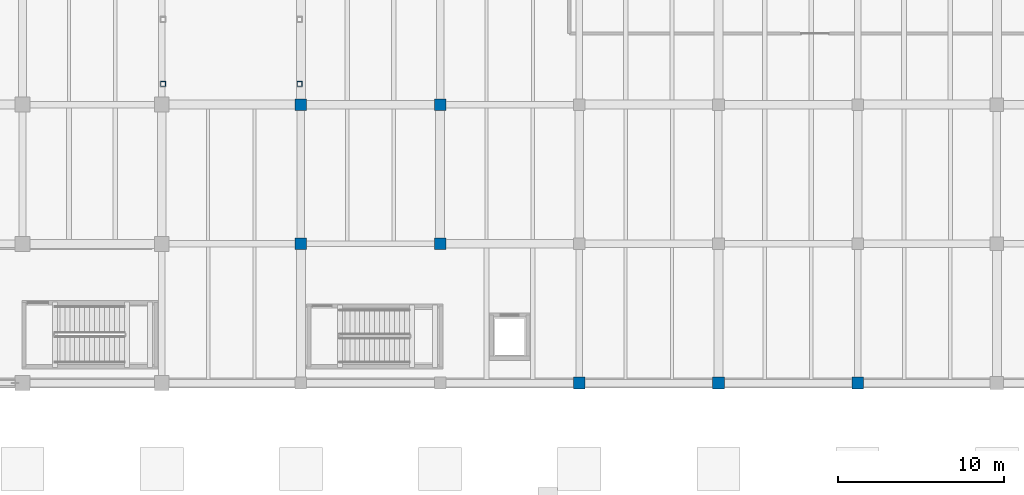
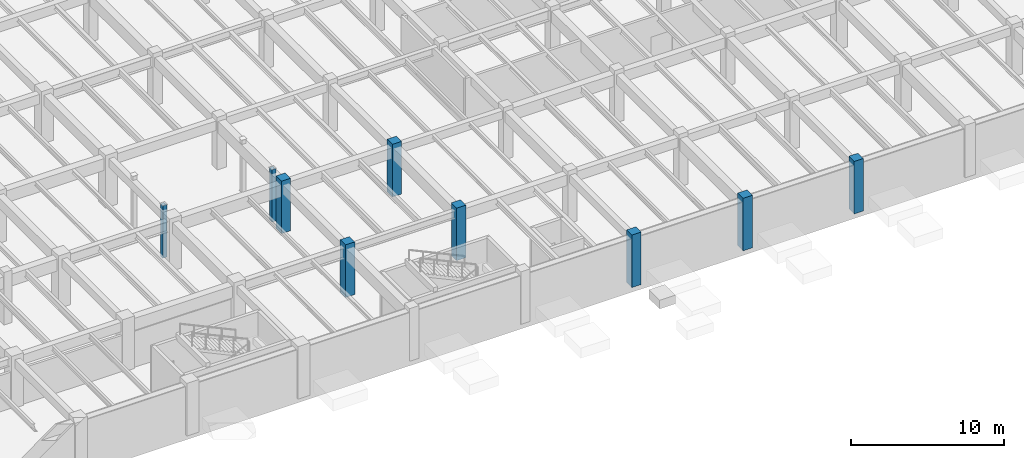
# One storey, part 3 of 63: 9 columns.
"""IFC4 building model written with IfcOpenShell, lengths in metres."""

import ifcopenshell
import ifcopenshell.guid

model = None  # the IFC model being written
_history = None  # IfcOwnerHistory: only IFC2X3 demands one
_inside = {}  # id of a spatial element -> (the spatial element, [elements in it])
_under = {}  # id of a project, library or spatial element -> (it, [spatial elements below it])
_declared = {}  # id of a project -> (the project, [libraries it declares])
_typed = {}  # id of a type object -> (the type object, [elements of that type])
_made_of = {}  # id of a material, layer set ... -> (it, [elements and type objects made of it])


def new_model(schema):
    """Start an empty IFC model of exactly this schema.

    Asked for "IFC4X3", IfcOpenShell would pick the latest addendum, in which some entities
    have other attributes; the version numbers below select the first issue.
    IFC2X3 requires an IfcOwnerHistory on every rooted entity: one is made here for all.
    """
    global model, _history
    if schema == "IFC4X3":
        model = ifcopenshell.file(schema_version=(4, 3, 0, 0))
    else:
        model = ifcopenshell.file(schema=schema)
    _inside.clear()
    _under.clear()
    _declared.clear()
    _typed.clear()
    _made_of.clear()
    _history = None
    if model.schema == "IFC2X3":
        org = make("IfcOrganization", Name="unknown")
        user = make(
            "IfcPersonAndOrganization",
            ThePerson=make("IfcPerson", FamilyName="unknown"),
            TheOrganization=org,
        )
        app = make(
            "IfcApplication",
            ApplicationDeveloper=org,
            Version="unknown",
            ApplicationFullName="unknown",
            ApplicationIdentifier="unknown",
        )
        _history = make(
            "IfcOwnerHistory",
            OwningUser=user,
            OwningApplication=app,
            ChangeAction="ADDED",
            CreationDate=0,
        )
    return model


def make(cls, **values):
    """One entity of the class cls with the attributes given. An attribute that is None is left unset."""
    return model.create_entity(
        cls, **{name: value for name, value in values.items() if value is not None}
    )


def rooted(cls, **values):
    """An entity with a GlobalId (a new one), such as an element, a storey or a relation."""
    return make(cls, GlobalId=ifcopenshell.guid.new(), OwnerHistory=_history, **values)


def si_unit(unit_type, name, prefix=None):
    """IfcSIUnit, for example si_unit("LENGTHUNIT", "METRE", prefix="MILLI")."""
    return make("IfcSIUnit", UnitType=unit_type, Prefix=prefix, Name=name)


def assignment(units):
    """IfcUnitAssignment: the units of a project."""
    return None if units is None else make("IfcUnitAssignment", Units=units)


def point(xyz):
    """IfcCartesianPoint."""
    return None if xyz is None else make("IfcCartesianPoint", Coordinates=xyz)


def direction(xyz):
    """IfcDirection."""
    return None if xyz is None else make("IfcDirection", DirectionRatios=xyz)


def frame(location, z_axis=None, x_axis=None):
    """IfcAxis2Placement3D, a coordinate frame: its origin and axes. An axis left out is left unset."""
    return make(
        "IfcAxis2Placement3D",
        Location=point(location),
        Axis=direction(z_axis),
        RefDirection=direction(x_axis),
    )


def frame_2d(location, x_axis=None):
    """IfcAxis2Placement2D, a coordinate frame in the plane: its origin and x axis."""
    return make(
        "IfcAxis2Placement2D", Location=point(location), RefDirection=direction(x_axis)
    )


def origin():
    """The frame at (0, 0, 0) with its axes left unset."""
    return frame((0.0, 0.0, 0.0))


def origin_2d():
    """The frame at (0, 0) in the plane with its x axis left unset."""
    return frame_2d((0.0, 0.0))


def place(relative_to, where):
    """IfcLocalPlacement: puts the frame where relative to a parent placement (None: the world)."""
    return make(
        "IfcLocalPlacement", PlacementRelTo=relative_to, RelativePlacement=where
    )


def context(
    kind, dimensions, precision=None, world=None, true_north=None, identifier=None
):
    """IfcGeometricRepresentationContext, for example the 3D "Model" context."""
    return make(
        "IfcGeometricRepresentationContext",
        ContextIdentifier=identifier,
        ContextType=kind,
        CoordinateSpaceDimension=dimensions,
        Precision=precision,
        WorldCoordinateSystem=world,
        TrueNorth=true_north,
    )


def subcontext(parent, identifier, kind, view, scale=None):
    """IfcGeometricRepresentationSubContext, for example "Body" below "Model"."""
    return make(
        "IfcGeometricRepresentationSubContext",
        ContextIdentifier=identifier,
        ContextType=kind,
        ParentContext=parent,
        TargetScale=scale,
        TargetView=view,
    )


def project(units=None, contexts=None):
    """IfcProject with its units and contexts."""
    return rooted(
        "IfcProject",
        Name="project",
        RepresentationContexts=contexts,
        UnitsInContext=assignment(units),
    )


def spatial(cls, under=None, at=None, **own):
    """A site, building, storey or space (cls), placed at a placement, below another one or the project."""
    s = rooted(cls, ObjectPlacement=at, **own)
    if under is not None:
        _under.setdefault(under.id(), (under, []))[1].append(s)
    return s


def profile(cls, at=None, kind="AREA", **sizes):
    """A parametric profile (cls). Its sizes go by their IFC names, for example OverallWidth=200.0."""
    return make(cls, ProfileType=kind, Position=at, **sizes)


def rectangle(**sizes):
    """IfcRectangleProfileDef."""
    return profile("IfcRectangleProfileDef", **sizes)


def hollow_rectangle(**sizes):
    """IfcRectangleHollowProfileDef."""
    return profile("IfcRectangleHollowProfileDef", **sizes)


def extrude(swept, where, along, depth):
    """IfcExtrudedAreaSolid: the profile swept, set in the frame where, extruded along a direction by depth."""
    return make(
        "IfcExtrudedAreaSolid",
        SweptArea=swept,
        Position=where,
        ExtrudedDirection=direction(along),
        Depth=depth,
    )


def shape(context_of_items, identifier, shape_type, items):
    """IfcShapeRepresentation: the items that make up one representation, for example the "Body"."""
    return make(
        "IfcShapeRepresentation",
        ContextOfItems=context_of_items,
        RepresentationIdentifier=identifier,
        RepresentationType=shape_type,
        Items=items,
    )


def material(Name=None, Category=None):
    """IfcMaterial."""
    return make("IfcMaterial", Name=Name, Category=Category)


def material_profile(
    of_material, cross_section, Name=None, Category=None, Priority=None
):
    """IfcMaterialProfile: a cross section and its material."""
    return make(
        "IfcMaterialProfile",
        Name=Name,
        Material=of_material,
        Profile=cross_section,
        Priority=Priority,
        Category=Category,
    )


def profile_set(profiles, Name=None, composite=None):
    """IfcMaterialProfileSet."""
    return make(
        "IfcMaterialProfileSet",
        Name=Name,
        MaterialProfiles=profiles,
        CompositeProfile=composite,
    )


def made_of(thing, what):
    """Note that an element or type object is made of a material, layer set ...; save() writes the relation."""
    if what is not None:
        _made_of.setdefault(what.id(), (what, []))[1].append(thing)
    return thing


def type_object(cls, material=None, **own):
    """A type object (cls), such as IfcWallType, which elements share."""
    return made_of(rooted(cls, **own), material)


def element(
    cls,
    number,
    at=None,
    inside=None,
    cuts=None,
    type_object=None,
    material=None,
    context=None,
    identifier="Body",
    shape_type=None,
    held_by="IfcProductDefinitionShape",
    body=None,
    shapes=None,
    **own,
):
    """One element of the class cls, such as IfcWall. Its Tag is "e" and its number.

    at: its placement. inside: the storey or other place that contains it. cuts: it is an
    opening in that element (IfcRelVoidsElement). A single representation is given by context,
    identifier, shape_type and body (its items); several are given by shapes. held_by: the class
    of the entity that holds the representations. save() writes the other relations.
    """
    e = rooted(cls, Tag="e%d" % number, ObjectPlacement=at, **own)
    if body is not None:
        shapes = [shape(context, identifier, shape_type, body)]
    if shapes is not None:
        e.Representation = make(held_by, Representations=shapes)
    if inside is not None:
        _inside.setdefault(inside.id(), (inside, []))[1].append(e)
    if cuts is not None:
        rooted(
            "IfcRelVoidsElement", RelatingBuildingElement=cuts, RelatedOpeningElement=e
        )
    if type_object is not None:
        _typed.setdefault(type_object.id(), (type_object, []))[1].append(e)
    return made_of(e, material)


def aggregate(whole, parts):
    """IfcRelAggregates: a whole, such as a stair, and the parts it consists of."""
    return rooted("IfcRelAggregates", RelatingObject=whole, RelatedObjects=parts)


def save(model, path):
    """Write the relations noted so far, then the file.

    IfcRelAggregates (storeys below a building ...), IfcRelContainedInSpatialStructure (elements
    in a storey), IfcRelDefinesByType, IfcRelAssociatesMaterial and IfcRelDeclares: one each for
    every whole, place, type object, material and project.
    """
    for whole, parts in _under.values():
        aggregate(whole, parts)
    for where, things in _inside.values():
        rooted(
            "IfcRelContainedInSpatialStructure",
            RelatedElements=things,
            RelatingStructure=where,
        )
    for kind, things in _typed.values():
        rooted("IfcRelDefinesByType", RelatedObjects=things, RelatingType=kind)
    for what, things in _made_of.values():
        rooted("IfcRelAssociatesMaterial", RelatedObjects=things, RelatingMaterial=what)
    for by, libraries in _declared.values():
        rooted("IfcRelDeclares", RelatingContext=by, RelatedDefinitions=libraries)
    model.write(path)


model = new_model("IFC4")

# Units and contexts
model_context = context("Model", 3, precision=1e-05, world=origin(), true_north=direction((0.0, 1.0)))
body_context = subcontext(model_context, "Body", "Model", "MODEL_VIEW")
ifc_project = project(units=[si_unit("LENGTHUNIT", "METRE"), si_unit("AREAUNIT", "SQUARE_METRE"), si_unit("VOLUMEUNIT", "CUBIC_METRE"), si_unit("PLANEANGLEUNIT", "RADIAN"), si_unit("MASSUNIT", "GRAM", prefix="KILO")], contexts=[model_context])

# Site, building, storey
site_placement = place(None, origin())
site = spatial("IfcSite", under=ifc_project, at=site_placement, CompositionType="ELEMENT")
building_placement = place(site_placement, origin())
building = spatial("IfcBuilding", under=site, at=building_placement, Name="Cumbredor Promenade Congress Hotel", CompositionType="ELEMENT")
storey_placement = place(building_placement, frame((0.0, 0.0, -4.199951171875)))
storey = spatial("IfcBuildingStorey", under=building, at=storey_placement, Name="B01", CompositionType="ELEMENT", Elevation=-4.199951171875)

# Columns
ifc_material_1 = material(Name="Concrete C40/50", Category="concrete")
ifc_material_profile_1 = material_profile(ifc_material_1, rectangle(XDim=0.699951171875, YDim=0.699951171875, at=origin_2d()), Name="RC 700x700")
ifc_profile_set_1 = profile_set([ifc_material_profile_1], Name="Concrete C40/50")
column_type_1 = type_object("IfcColumnType", Name="COL-RC-700", PredefinedType="COLUMN", material=ifc_profile_set_1)
for number, where, z_axis, x_axis, name in (
    (1, (75.60009765625, 16.800048828125, 0.0), (0.0, 0.0, 1.0), (1.0, 0.0, 0.0), "B01 Structural Column 115"),
    (2, (75.60009765625, 25.199951171875, 0.0), (0.0, 0.0, 1.0), (1.0, 0.0, 0.0), "B01 Structural Column 116"),
    (3, (84.0, 16.800048828125, 0.0), (0.0, 0.0, 1.0), (1.0, 0.0, 0.0), "B01 Structural Column 129"),
    (4, (84.0, 25.199951171875, 0.0), (0.0, 0.0, 1.0), (1.0, 0.0, 0.0), "B01 Structural Column 130"),
    (5, (92.39990234375, 8.39990234375, 0.0), (0.0, 0.0, 1.0), (1.0, 0.0, 0.0), "B01 Structural Column 142"),
    (6, (100.800048828125, 8.39990234375, 0.0), (0.0, 0.0, 1.0), (1.0, 0.0, 0.0), "B01 Structural Column 156"),
    (7, (109.199951171875, 8.39990234375, 0.0), (0.0, 0.0, 1.0), (1.0, 0.0, 0.0), "B01 Structural Column 170"),
):
    element("IfcColumn", number, at=place(storey_placement, frame(where, z_axis=z_axis, x_axis=x_axis)), inside=storey, type_object=column_type_1, Name=name, PredefinedType="COLUMN", context=body_context, shape_type="SweptSolid", body=[
        extrude(rectangle(XDim=0.699951171875, YDim=0.699951171875, at=origin_2d()), origin(), (0.0, 0.0, 1.0), 4.199951171875),
    ])
ifc_material_2 = material(Name="Steel ASTM A500 Grade C", Category="steel")
ifc_material_profile_2 = material_profile(ifc_material_2, hollow_rectangle(XDim=0.300048828125, YDim=0.300048828125, WallThickness=0.01611328125, at=origin_2d()), Name="HSS 300x300x16")
ifc_profile_set_2 = profile_set([ifc_material_profile_2], Name="Steel ASTM A500 Grade C")
column_type_2 = type_object("IfcColumnType", Name="COL-STL-HSS300", PredefinedType="COLUMN", material=ifc_profile_set_2)
for number, where, z_axis, x_axis, name in (
    (8, (67.280029296875, 26.449951171875, 0.0), (0.0, 0.0, 1.0), (1.0, 0.0, 0.0), "Central Plenary-to-Spa Pool Bridge B01 Substructure Pier 1"),
    (9, (75.52001953125, 26.449951171875, 0.0), (0.0, 0.0, 1.0), (1.0, 0.0, 0.0), "Central Plenary-to-Spa Pool Bridge B01 Substructure Pier 3"),
):
    element("IfcColumn", number, at=place(storey_placement, frame(where, z_axis=z_axis, x_axis=x_axis)), inside=storey, type_object=column_type_2, Name=name, PredefinedType="COLUMN", context=body_context, shape_type="SweptSolid", body=[
        extrude(hollow_rectangle(XDim=0.300048828125, YDim=0.300048828125, WallThickness=0.01611328125, at=origin_2d()), origin(), (0.0, 0.0, 1.0), 4.199951171875),
    ])

save(model, "model.ifc")
